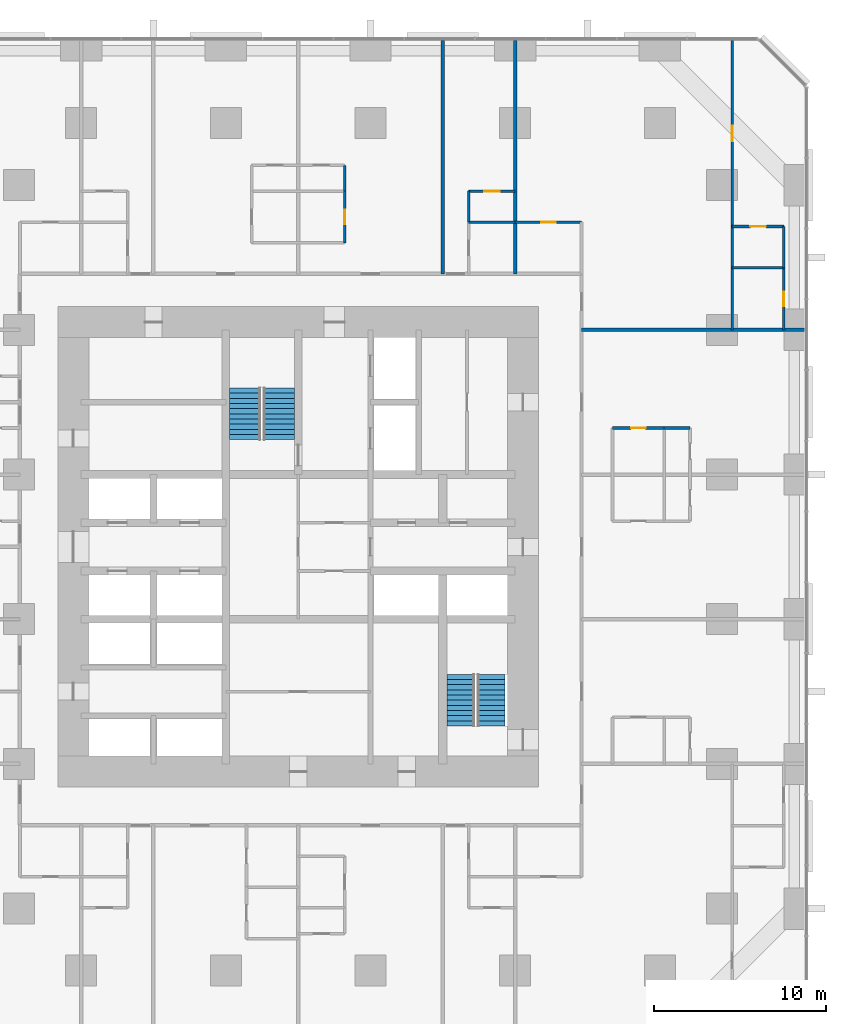
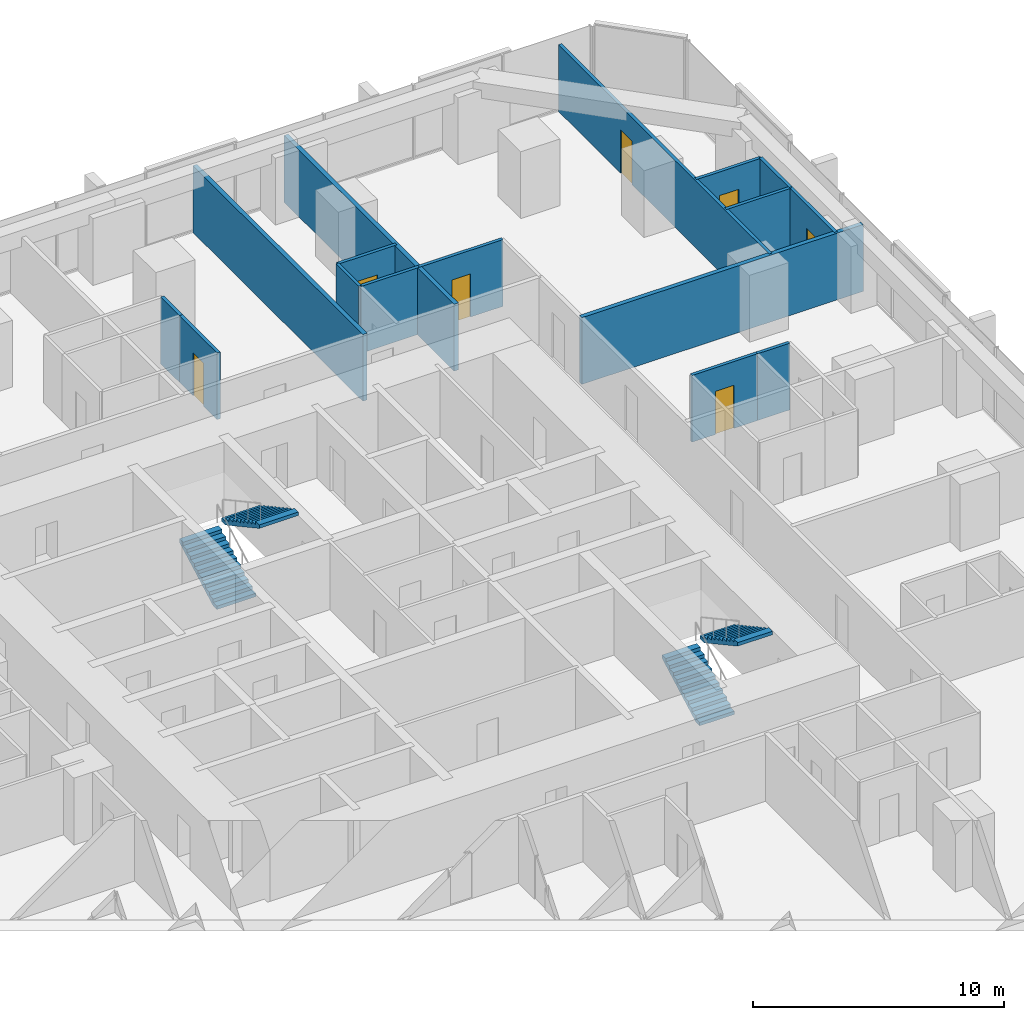
# One storey, part 16 of 17: 16 walls, 7 doors, 4 stair flights, 7 openings, 2 elements without a shape of their own.
"""IFC4 building model written with IfcOpenShell, lengths in metres."""

from ifc_helpers import new_model, si_unit, direction, frame, frame_2d, origin, place, context, subcontext, project, spatial, polyline, rectangle, outline, extrude, material, layer, layer_set, type_object, element, fill, aggregate, save


model = new_model("IFC4")

# Units and contexts
model_context = context("Model", 3, precision=1e-05, world=origin(), true_north=direction((0.0, 1.0)))
body_context = subcontext(model_context, "Body", "Model", "MODEL_VIEW")
ifc_project = project(units=[si_unit("LENGTHUNIT", "METRE"), si_unit("AREAUNIT", "SQUARE_METRE"), si_unit("VOLUMEUNIT", "CUBIC_METRE"), si_unit("PLANEANGLEUNIT", "RADIAN"), si_unit("MASSUNIT", "GRAM", prefix="KILO")], contexts=[model_context])

# Site, building, storey
site_placement = place(None, origin())
site = spatial("IfcSite", under=ifc_project, at=site_placement, CompositionType="ELEMENT")
building_placement = place(site_placement, origin())
building = spatial("IfcBuilding", under=site, at=building_placement, Name="Dunama Terrace Hotel", CompositionType="ELEMENT")
storey_placement = place(building_placement, frame((0.0, 0.0, 41.39990234375)))
storey = spatial("IfcBuildingStorey", under=building, at=storey_placement, Name="L09", CompositionType="ELEMENT", Elevation=41.39990234375)

# Wall, opening, door
ifc_material_1 = material(Name="Gypsum board partition", Category="masonry")
ifc_layer_1 = layer(ifc_material_1, 0.14990234375)
ifc_layer_set_1 = layer_set([ifc_layer_1], Name="Bathroom partition 150")
wall_type_1 = type_object("IfcWallType", Name="Bathroom partition 150", PredefinedType="PARTITIONING", material=ifc_layer_set_1)
wall_1_placement = place(storey_placement, frame((32.10009765625, 47.050048828125, 0.0), z_axis=(0.0, 0.0, 1.0), x_axis=(0.0, 1.0, 0.0)))
wall_1 = element("IfcWall", 1, at=wall_1_placement, inside=storey, type_object=wall_type_1, Name="Bathroom partition 150 L09", PredefinedType="PARTITIONING", context=body_context, shape_type="SweptSolid", body=[
    extrude(rectangle(XDim=3.0, YDim=0.14990234375, at=frame_2d((1.5, 0.0))), origin(), (0.0, 0.0, 1.0), 3.25),
])
opening_1_placement = place(wall_1_placement, frame((1.074951171875, 0.0, 0.0)))
opening_1 = element("IfcOpeningElement", 2, at=opening_1_placement, cuts=wall_1, Name="Opening L07-09-037", PredefinedType="OPENING", context=body_context, shape_type="SweptSolid", body=[
    extrude(rectangle(XDim=0.85009765625, YDim=2.10009765625, at=frame_2d((0.425048828125, 1.050048828125))), frame((0.0, 0.0849609375, 0.0), z_axis=(0.0, -1.0, 0.0), x_axis=(1.0, 0.0, 0.0)), (0.0, 0.0, 1.0), 0.169921875),
])
ifc_material_2 = material(Name="Timber door with steel frame", Category="steel")
door_type_1 = type_object("IfcDoorType", Name="Bathroom door 850", OperationType="SINGLE_SWING_LEFT", PredefinedType="DOOR", material=ifc_material_2)
door_1_placement = place(opening_1_placement, origin())
door_1 = element("IfcDoor", 3, at=door_1_placement, inside=storey, type_object=door_type_1, Name="Door to en-suite bathroom L07-09-037, type D2", OperationType="SINGLE_SWING_RIGHT", OverallHeight=2.10009765625, OverallWidth=0.85009765625, PredefinedType="DOOR", context=body_context, shape_type="SweptSolid", body=[
    extrude(rectangle(XDim=0.85009765625, YDim=2.10009765625, at=frame_2d((0.425048828125, 1.050048828125))), frame((0.0, 0.02490234375, 0.0), z_axis=(0.0, -1.0, 0.0), x_axis=(1.0, 0.0, 0.0)), (0.0, 0.0, 1.0), 0.050048828125),
])
fill(opening_1, door_1)

wall_2_placement = place(storey_placement, frame((57.60009765625, 42.0, 0.0), z_axis=(0.0, 0.0, 1.0), x_axis=(0.0, 1.0, 0.0)))
wall_2 = element("IfcWall", 4, at=wall_2_placement, inside=storey, type_object=wall_type_1, Name="Bathroom partition 150 L09", PredefinedType="PARTITIONING", context=body_context, shape_type="SweptSolid", body=[
    extrude(rectangle(XDim=3.60009765625, YDim=0.14990234375, at=frame_2d((1.800048828125, 0.0))), origin(), (0.0, 0.0, 1.0), 3.25),
])
opening_2_placement = place(wall_2_placement, frame((1.375, 0.0, 0.0)))
opening_2 = element("IfcOpeningElement", 5, at=opening_2_placement, cuts=wall_2, Name="Opening L07-09-071", PredefinedType="OPENING", context=body_context, shape_type="SweptSolid", body=[
    extrude(rectangle(XDim=0.85009765625, YDim=2.10009765625, at=frame_2d((0.425048828125, 1.050048828125))), frame((0.0, 0.0849609375, 0.0), z_axis=(0.0, -1.0, 0.0), x_axis=(1.0, 0.0, 0.0)), (0.0, 0.0, 1.0), 0.169921875),
])
door_2_placement = place(opening_2_placement, origin())
door_2 = element("IfcDoor", 6, at=door_2_placement, inside=storey, type_object=door_type_1, Name="Door to en-suite bathroom L07-09-071, type D2", OperationType="SINGLE_SWING_LEFT", OverallHeight=2.10009765625, OverallWidth=0.85009765625, PredefinedType="DOOR", context=body_context, shape_type="SweptSolid", body=[
    extrude(rectangle(XDim=0.85009765625, YDim=2.10009765625, at=frame_2d((0.425048828125, 1.050048828125))), frame((0.0, 0.02490234375, 0.0), z_axis=(0.0, -1.0, 0.0), x_axis=(1.0, 0.0, 0.0)), (0.0, 0.0, 1.0), 0.050048828125),
])
fill(opening_2, door_2)

wall_3_placement = place(storey_placement, frame((47.64990234375, 36.300048828125, 0.0), z_axis=(0.0, 0.0, 1.0), x_axis=(1.0, 0.0, 0.0)))
wall_3 = element("IfcWall", 7, at=wall_3_placement, inside=storey, type_object=wall_type_1, Name="Bathroom partition 150 L09", PredefinedType="PARTITIONING", context=body_context, shape_type="SweptSolid", body=[
    extrude(rectangle(XDim=3.0, YDim=0.14990234375, at=frame_2d((1.5, 0.0))), origin(), (0.0, 0.0, 1.0), 3.25),
])
opening_3_placement = place(wall_3_placement, frame((1.074951171875, 0.0, 0.0)))
opening_3 = element("IfcOpeningElement", 8, at=opening_3_placement, cuts=wall_3, Name="Opening L07-09-028", PredefinedType="OPENING", context=body_context, shape_type="SweptSolid", body=[
    extrude(rectangle(XDim=0.85009765625, YDim=2.10009765625, at=frame_2d((0.425048828125, 1.050048828125))), frame((0.0, 0.0849609375, 0.0), z_axis=(0.0, -1.0, 0.0), x_axis=(1.0, 0.0, 0.0)), (0.0, 0.0, 1.0), 0.169921875),
])
door_3_placement = place(opening_3_placement, frame((0.85009765625, 0.0, 0.0), z_axis=(0.0, 0.0, 1.0), x_axis=(-1.0, 0.0, 0.0)))
door_3 = element("IfcDoor", 9, at=door_3_placement, inside=storey, type_object=door_type_1, Name="Door to en-suite bathroom L07-09-028, type D2", OperationType="SINGLE_SWING_LEFT", OverallHeight=2.10009765625, OverallWidth=0.85009765625, PredefinedType="DOOR", context=body_context, shape_type="SweptSolid", body=[
    extrude(rectangle(XDim=0.85009765625, YDim=2.10009765625, at=frame_2d((0.425048828125, 1.050048828125))), frame((0.0, 0.025146484375, 0.0), z_axis=(0.0, -1.0, 0.0), x_axis=(1.0, 0.0, 0.0)), (0.0, 0.0, 1.0), 0.050048828125),
])
fill(opening_3, door_3)

wall_4_placement = place(storey_placement, frame((42.0, 48.25, 0.0), z_axis=(0.0, 0.0, 1.0), x_axis=(1.0, 0.0, 0.0)))
wall_4 = element("IfcWall", 10, at=wall_4_placement, inside=storey, type_object=wall_type_1, Name="Bathroom partition 150 L09", PredefinedType="PARTITIONING", context=body_context, shape_type="SweptSolid", body=[
    extrude(rectangle(XDim=3.85009765625, YDim=0.14990234375, at=frame_2d((1.925048828125, 0.0))), origin(), (0.0, 0.0, 1.0), 3.25),
])
opening_4_placement = place(wall_4_placement, frame((1.5, 0.0, 0.0)))
opening_4 = element("IfcOpeningElement", 11, at=opening_4_placement, cuts=wall_4, Name="Opening L07-09-069", PredefinedType="OPENING", context=body_context, shape_type="SweptSolid", body=[
    extrude(rectangle(XDim=0.85009765625, YDim=2.10009765625, at=frame_2d((0.425048828125, 1.050048828125))), frame((0.0, 0.0849609375, 0.0), z_axis=(0.0, -1.0, 0.0), x_axis=(1.0, 0.0, 0.0)), (0.0, 0.0, 1.0), 0.169921875),
])
door_4_placement = place(opening_4_placement, frame((0.85009765625, 0.0, 0.0), z_axis=(0.0, 0.0, 1.0), x_axis=(-1.0, 0.0, 0.0)))
door_4 = element("IfcDoor", 12, at=door_4_placement, inside=storey, type_object=door_type_1, Name="Door to powder room L07-09-069, type D2", OperationType="SINGLE_SWING_RIGHT", OverallHeight=2.10009765625, OverallWidth=0.85009765625, PredefinedType="DOOR", context=body_context, shape_type="SweptSolid", body=[
    extrude(rectangle(XDim=0.85009765625, YDim=2.10009765625, at=frame_2d((0.425048828125, 1.050048828125))), frame((0.0, 0.025146484375, 0.0), z_axis=(0.0, -1.0, 0.0), x_axis=(1.0, 0.0, 0.0)), (0.0, 0.0, 1.0), 0.050048828125),
])
fill(opening_4, door_4)

# Walls
ifc_material_3 = material(Name="Concrete blockwork", Category="masonry")
ifc_layer_2 = layer(ifc_material_3, 0.199951171875)
ifc_layer_set_2 = layer_set([ifc_layer_2], Name="Party wall 200")
wall_type_2 = type_object("IfcWallType", Name="Party wall 200", PredefinedType="PARTITIONING", material=ifc_layer_set_2)
for number, where, z_axis, x_axis, name in (
    (13, (37.800048828125, 45.25, 0.0), (0.0, 0.0, 1.0), (0.0, 1.0, 0.0), "Party wall 200 L09"),
    (14, (42.0, 45.25, 0.0), (0.0, 0.0, 1.0), (0.0, 1.0, 0.0), "Party wall 200 L09"),
):
    element("IfcWall", number, at=place(storey_placement, frame(where, z_axis=z_axis, x_axis=x_axis)), inside=storey, type_object=wall_type_2, Name=name, PredefinedType="PARTITIONING", context=body_context, shape_type="SweptSolid", body=[
        extrude(rectangle(XDim=13.55810546875, YDim=0.199951171875, at=frame_2d((6.779052734375, 0.0))), origin(), (0.0, 0.0, 1.0), 3.25),
    ])
wall_5_placement = place(storey_placement, frame((45.85009765625, 42.0, 0.0), z_axis=(0.0, 0.0, 1.0), x_axis=(1.0, 0.0, 0.0)))
element("IfcWall", 15, at=wall_5_placement, inside=storey, type_object=wall_type_2, Name="Party wall 200 L09", PredefinedType="PARTITIONING", context=body_context, shape_type="SweptSolid", body=[
    extrude(rectangle(XDim=12.9580078125, YDim=0.199951171875, at=frame_2d((6.47900390625, 0.0))), origin(), (0.0, 0.0, 1.0), 3.25),
])
ifc_material_4 = material(Name="Gypsum board partition", Category="masonry")
ifc_layer_3 = layer(ifc_material_4, 0.14990234375)
ifc_layer_set_3 = layer_set([ifc_layer_3], Name="Room partition 150")
wall_type_3 = type_object("IfcWallType", Name="Room partition 150", PredefinedType="PARTITIONING", material=ifc_layer_set_3)
wall_6_placement = place(storey_placement, frame((32.10009765625, 50.050048828125, 0.0), z_axis=(0.0, 0.0, 1.0), x_axis=(0.0, 1.0, 0.0)))
element("IfcWall", 16, at=wall_6_placement, inside=storey, type_object=wall_type_3, Name="Room partition 150 L09", PredefinedType="PARTITIONING", context=body_context, shape_type="SweptSolid", body=[
    extrude(rectangle(XDim=1.5, YDim=0.14990234375, at=frame_2d((0.75, 0.0))), origin(), (0.0, 0.0, 1.0), 3.25),
])
wall_7_placement = place(storey_placement, frame((39.300048828125, 48.25, 0.0), z_axis=(0.0, 0.0, 1.0), x_axis=(0.0, 1.0, 0.0)))
element("IfcWall", 17, at=wall_7_placement, inside=storey, type_object=wall_type_3, Name="Room partition 150 L09", PredefinedType="PARTITIONING", context=body_context, shape_type="SweptSolid", body=[
    extrude(rectangle(XDim=1.800048828125, YDim=0.14990234375, at=frame_2d((0.89990234375, 0.0))), origin(), (0.0, 0.0, 1.0), 3.25),
])

# Wall, opening, door
wall_8_placement = place(storey_placement, frame((54.60009765625, 42.0, 0.0), z_axis=(0.0, 0.0, 1.0), x_axis=(0.0, 1.0, 0.0)))
wall_8 = element("IfcWall", 18, at=wall_8_placement, inside=storey, type_object=wall_type_3, Name="Room partition 150 L09", PredefinedType="PARTITIONING", context=body_context, shape_type="SweptSolid", body=[
    extrude(rectangle(XDim=16.80810546875, YDim=0.14990234375, at=frame_2d((8.404052734375, 0.0))), origin(), (0.0, 0.0, 1.0), 3.25),
])
opening_5_placement = place(wall_8_placement, frame((10.949951171875, 0.0, 0.0)))
opening_5 = element("IfcOpeningElement", 19, at=opening_5_placement, cuts=wall_8, Name="Opening L07-09-070", PredefinedType="OPENING", context=body_context, shape_type="SweptSolid", body=[
    extrude(rectangle(XDim=0.89990234375, YDim=2.10009765625, at=frame_2d((0.449951171875, 1.050048828125))), frame((0.0, 0.0849609375, 0.0), z_axis=(0.0, -1.0, 0.0), x_axis=(1.0, 0.0, 0.0)), (0.0, 0.0, 1.0), 0.169921875),
])
ifc_material_5 = material(Name="Timber door with steel frame", Category="steel")
door_type_2 = type_object("IfcDoorType", Name="Suite internal door 900", OperationType="SINGLE_SWING_LEFT", PredefinedType="DOOR", material=ifc_material_5)
door_5_placement = place(opening_5_placement, frame((0.89990234375, 0.0, 0.0), z_axis=(0.0, 0.0, 1.0), x_axis=(-1.0, 0.0, 0.0)))
door_5 = element("IfcDoor", 20, at=door_5_placement, inside=storey, type_object=door_type_2, Name="Door to corner suite bedroom L07-09-070, type D16", OperationType="SINGLE_SWING_RIGHT", OverallHeight=2.10009765625, OverallWidth=0.89990234375, PredefinedType="DOOR", context=body_context, shape_type="SweptSolid", body=[
    extrude(rectangle(XDim=0.89990234375, YDim=2.10009765625, at=frame_2d((0.449951171875, 1.050048828125))), frame((0.0, 0.025146484375, 0.0), z_axis=(0.0, -1.0, 0.0), x_axis=(1.0, 0.0, 0.0)), (0.0, 0.0, 1.0), 0.050048828125),
])
fill(opening_5, door_5)

# Walls
wall_9_placement = place(storey_placement, frame((57.60009765625, 45.60009765625, 0.0), z_axis=(0.0, 0.0, 1.0), x_axis=(0.0, 1.0, 0.0)))
element("IfcWall", 21, at=wall_9_placement, inside=storey, type_object=wall_type_3, Name="Room partition 150 L09", PredefinedType="PARTITIONING", context=body_context, shape_type="SweptSolid", body=[
    extrude(rectangle(XDim=2.39990234375, YDim=0.14990234375, at=frame_2d((1.199951171875, 0.0))), origin(), (0.0, 0.0, 1.0), 3.25),
])
wall_10_placement = place(storey_placement, frame((50.64990234375, 36.300048828125, 0.0), z_axis=(0.0, 0.0, 1.0), x_axis=(1.0, 0.0, 0.0)))
element("IfcWall", 22, at=wall_10_placement, inside=storey, type_object=wall_type_3, Name="Room partition 150 L09", PredefinedType="PARTITIONING", context=body_context, shape_type="SweptSolid", body=[
    extrude(rectangle(XDim=1.5, YDim=0.14990234375, at=frame_2d((0.75, 0.0))), origin(), (0.0, 0.0, 1.0), 3.25),
])
wall_11_placement = place(storey_placement, frame((54.60009765625, 45.60009765625, 0.0), z_axis=(0.0, 0.0, 1.0), x_axis=(1.0, 0.0, 0.0)))
element("IfcWall", 23, at=wall_11_placement, inside=storey, type_object=wall_type_3, Name="Room partition 150 L09", PredefinedType="PARTITIONING", context=body_context, shape_type="SweptSolid", body=[
    extrude(rectangle(XDim=3.0, YDim=0.14990234375, at=frame_2d((1.5, 0.0))), origin(), (0.0, 0.0, 1.0), 3.25),
])

# Wall, opening, door
wall_12_placement = place(storey_placement, frame((54.60009765625, 48.0, 0.0), z_axis=(0.0, 0.0, 1.0), x_axis=(1.0, 0.0, 0.0)))
wall_12 = element("IfcWall", 24, at=wall_12_placement, inside=storey, type_object=wall_type_3, Name="Room partition 150 L09", PredefinedType="PARTITIONING", context=body_context, shape_type="SweptSolid", body=[
    extrude(rectangle(XDim=3.0, YDim=0.14990234375, at=frame_2d((1.5, 0.0))), origin(), (0.0, 0.0, 1.0), 3.25),
])
opening_6_placement = place(wall_12_placement, frame((1.050048828125, 0.0, 0.0)))
opening_6 = element("IfcOpeningElement", 25, at=opening_6_placement, cuts=wall_12, Name="Opening L07-09-072", PredefinedType="OPENING", context=body_context, shape_type="SweptSolid", body=[
    extrude(rectangle(XDim=0.89990234375, YDim=2.10009765625, at=frame_2d((0.449951171875, 1.050048828125))), frame((0.0, 0.0849609375, 0.0), z_axis=(0.0, -1.0, 0.0), x_axis=(1.0, 0.0, 0.0)), (0.0, 0.0, 1.0), 0.169921875),
])
door_6_placement = place(opening_6_placement, frame((0.89990234375, 0.0, 0.0), z_axis=(0.0, 0.0, 1.0), x_axis=(-1.0, 0.0, 0.0)))
door_6 = element("IfcDoor", 26, at=door_6_placement, inside=storey, type_object=door_type_2, Name="Door to dressing room L07-09-072, type D16", OperationType="SINGLE_SWING_RIGHT", OverallHeight=2.10009765625, OverallWidth=0.89990234375, PredefinedType="DOOR", context=body_context, shape_type="SweptSolid", body=[
    extrude(rectangle(XDim=0.89990234375, YDim=2.10009765625, at=frame_2d((0.449951171875, 1.050048828125))), frame((0.0, 0.025146484375, 0.0), z_axis=(0.0, -1.0, 0.0), x_axis=(1.0, 0.0, 0.0)), (0.0, 0.0, 1.0), 0.050048828125),
])
fill(opening_6, door_6)

# Wall
wall_13_placement = place(storey_placement, frame((39.300048828125, 48.25, 0.0), z_axis=(0.0, 0.0, 1.0), x_axis=(1.0, 0.0, 0.0)))
element("IfcWall", 27, at=wall_13_placement, inside=storey, type_object=wall_type_3, Name="Room partition 150 L09", PredefinedType="PARTITIONING", context=body_context, shape_type="SweptSolid", body=[
    extrude(rectangle(XDim=2.699951171875, YDim=0.14990234375, at=frame_2d((1.35009765625, 0.0))), origin(), (0.0, 0.0, 1.0), 3.25),
])

# Wall, opening, door
wall_14_placement = place(storey_placement, frame((39.300048828125, 50.050048828125, 0.0), z_axis=(0.0, 0.0, 1.0), x_axis=(1.0, 0.0, 0.0)))
wall_14 = element("IfcWall", 28, at=wall_14_placement, inside=storey, type_object=wall_type_3, Name="Room partition 150 L09", PredefinedType="PARTITIONING", context=body_context, shape_type="SweptSolid", body=[
    extrude(rectangle(XDim=2.699951171875, YDim=0.14990234375, at=frame_2d((1.35009765625, 0.0))), origin(), (0.0, 0.0, 1.0), 3.25),
])
opening_7_placement = place(wall_14_placement, frame((0.89990234375, 0.0, 0.0)))
opening_7 = element("IfcOpeningElement", 29, at=opening_7_placement, cuts=wall_14, Name="Opening L07-09-041", PredefinedType="OPENING", context=body_context, shape_type="SweptSolid", body=[
    extrude(rectangle(XDim=0.89990234375, YDim=2.10009765625, at=frame_2d((0.449951171875, 1.050048828125))), frame((0.0, 0.0849609375, 0.0), z_axis=(0.0, -1.0, 0.0), x_axis=(1.0, 0.0, 0.0)), (0.0, 0.0, 1.0), 0.169921875),
])
door_7_placement = place(opening_7_placement, frame((0.89990234375, 0.0, 0.0), z_axis=(0.0, 0.0, 1.0), x_axis=(-1.0, 0.0, 0.0)))
door_7 = element("IfcDoor", 30, at=door_7_placement, inside=storey, type_object=door_type_2, Name="Door to walk-in wardrobe L07-09-041, type D16", OperationType="SINGLE_SWING_LEFT", OverallHeight=2.10009765625, OverallWidth=0.89990234375, PredefinedType="DOOR", context=body_context, shape_type="SweptSolid", body=[
    extrude(rectangle(XDim=0.89990234375, YDim=2.10009765625, at=frame_2d((0.449951171875, 1.050048828125))), frame((0.0, 0.025146484375, 0.0), z_axis=(0.0, -1.0, 0.0), x_axis=(1.0, 0.0, 0.0)), (0.0, 0.0, 1.0), 0.050048828125),
])
fill(opening_7, door_7)

# Stair, stair flights
ifc_material_6 = material(Name="Concrete C40/50", Category="concrete")
stair_type_1 = type_object("IfcStairType", Name="Stair ST1-3600-1800", PredefinedType="HALF_TURN_STAIR", material=ifc_material_6)
stair_1_placement = place(storey_placement, origin())
stair_1 = element("IfcStair", 31, at=stair_1_placement, inside=storey, type_object=stair_type_1, Name="Stair ST1 L09", PredefinedType="HALF_TURN_STAIR")
ifc_material_7 = material(Name="Concrete C40/50", Category="concrete")
stair_flight_type_1 = type_object("IfcStairFlightType", Name="Stair flight ST1-3600-1800", PredefinedType="STRAIGHT", material=ifc_material_7)
stair_flight_1_placement = place(storey_placement, frame((26.324951171875, 35.625, 0.0), z_axis=(0.0, 0.0, 1.0), x_axis=(0.0, 1.0, 0.0)))
stair_flight_1 = element("IfcStairFlight", 32, at=stair_flight_1_placement, type_object=stair_flight_type_1, Name="ST1 flight 1", NumberOfRisers=11, NumberOfTreads=10, PredefinedType="STRAIGHT", RiserHeight=0.163636364, TreadLength=0.3, context=body_context, shape_type="SweptSolid", body=[
    extrude(outline(polyline([(0.0, 0.0), (0.0, 0.16357421875), (0.300048828125, 0.16357421875), (0.300048828125, 0.327392578125), (0.60009765625, 0.327392578125), (0.60009765625, 0.490966796875), (0.89990234375, 0.490966796875), (0.89990234375, 0.654541015625), (1.199951171875, 0.654541015625), (1.199951171875, 0.818115234375), (1.5, 0.818115234375), (1.5, 0.98193359375), (1.800048828125, 0.98193359375), (1.800048828125, 1.1455078125), (2.10009765625, 1.1455078125), (2.10009765625, 1.30908203125), (2.39990234375, 1.30908203125), (2.39990234375, 1.47265625), (2.699951171875, 1.47265625), (2.699951171875, 1.636474609375), (3.0, 1.636474609375), (3.0, 1.800048828125), (3.0, 1.465576171875), (0.31298828125, 0.0), (0.0, 0.0)])), frame((0.0, 0.89990234375, 0.0), z_axis=(0.0, -1.0, 0.0), x_axis=(1.0, 0.0, 0.0)), (0.0, 0.0, 1.0), 1.800048828125),
])
stair_flight_2_placement = place(storey_placement, frame((28.27490234375, 38.625, 1.800048828125), z_axis=(0.0, 0.0, 1.0), x_axis=(0.0, -1.0, 0.0)))
stair_flight_2 = element("IfcStairFlight", 33, at=stair_flight_2_placement, type_object=stair_flight_type_1, Name="ST1 flight 2", NumberOfRisers=11, NumberOfTreads=10, PredefinedType="STRAIGHT", RiserHeight=0.163636364, TreadLength=0.3, context=body_context, shape_type="SweptSolid", body=[
    extrude(outline(polyline([(0.0, 0.0), (0.0, 0.16357421875), (0.300048828125, 0.16357421875), (0.300048828125, 0.327392578125), (0.60009765625, 0.327392578125), (0.60009765625, 0.490966796875), (0.89990234375, 0.490966796875), (0.89990234375, 0.654541015625), (1.199951171875, 0.654541015625), (1.199951171875, 0.818115234375), (1.5, 0.818115234375), (1.5, 0.98193359375), (1.800048828125, 0.98193359375), (1.800048828125, 1.1455078125), (2.10009765625, 1.1455078125), (2.10009765625, 1.30908203125), (2.39990234375, 1.30908203125), (2.39990234375, 1.47265625), (2.699951171875, 1.47265625), (2.699951171875, 1.636474609375), (3.0, 1.636474609375), (3.0, 1.800048828125), (3.0, 1.465576171875), (0.31298828125, 0.0), (0.0, 0.0)])), frame((0.0, 0.89990234375, 0.0), z_axis=(0.0, -1.0, 0.0), x_axis=(1.0, 0.0, 0.0)), (0.0, 0.0, 1.0), 1.800048828125),
])
aggregate(stair_1, [stair_flight_1, stair_flight_2])

ifc_material_8 = material(Name="Concrete C40/50", Category="concrete")
stair_type_2 = type_object("IfcStairType", Name="Stair ST2-3600-1600", PredefinedType="HALF_TURN_STAIR", material=ifc_material_8)
stair_2_placement = place(storey_placement, origin())
stair_2 = element("IfcStair", 34, at=stair_2_placement, inside=storey, type_object=stair_type_2, Name="Stair ST2 L09", PredefinedType="HALF_TURN_STAIR")
ifc_material_9 = material(Name="Concrete C40/50", Category="concrete")
stair_flight_type_2 = type_object("IfcStairFlightType", Name="Stair flight ST2-3600-1600", PredefinedType="STRAIGHT", material=ifc_material_9)
stair_flight_3_placement = place(storey_placement, frame((38.85009765625, 19.0, 0.0), z_axis=(0.0, 0.0, 1.0), x_axis=(0.0, 1.0, 0.0)))
stair_flight_3 = element("IfcStairFlight", 35, at=stair_flight_3_placement, type_object=stair_flight_type_2, Name="ST2 flight 1", NumberOfRisers=11, NumberOfTreads=10, PredefinedType="STRAIGHT", RiserHeight=0.163636364, TreadLength=0.3, context=body_context, shape_type="SweptSolid", body=[
    extrude(outline(polyline([(0.0, 0.0), (0.0, 0.16357421875), (0.300048828125, 0.16357421875), (0.300048828125, 0.327392578125), (0.60009765625, 0.327392578125), (0.60009765625, 0.490966796875), (0.89990234375, 0.490966796875), (0.89990234375, 0.654541015625), (1.199951171875, 0.654541015625), (1.199951171875, 0.818115234375), (1.5, 0.818115234375), (1.5, 0.98193359375), (1.800048828125, 0.98193359375), (1.800048828125, 1.1455078125), (2.10009765625, 1.1455078125), (2.10009765625, 1.30908203125), (2.39990234375, 1.30908203125), (2.39990234375, 1.47265625), (2.699951171875, 1.47265625), (2.699951171875, 1.636474609375), (3.0, 1.636474609375), (3.0, 1.800048828125), (3.0, 1.465576171875), (0.31298828125, 0.0), (0.0, 0.0)])), frame((0.0, 0.800048828125, 0.0), z_axis=(0.0, -1.0, 0.0), x_axis=(1.0, 0.0, 0.0)), (0.0, 0.0, 1.0), 1.60009765625),
])
stair_flight_4_placement = place(storey_placement, frame((40.60009765625, 22.0, 1.800048828125), z_axis=(0.0, 0.0, 1.0), x_axis=(0.0, -1.0, 0.0)))
stair_flight_4 = element("IfcStairFlight", 36, at=stair_flight_4_placement, type_object=stair_flight_type_2, Name="ST2 flight 2", NumberOfRisers=11, NumberOfTreads=10, PredefinedType="STRAIGHT", RiserHeight=0.163636364, TreadLength=0.3, context=body_context, shape_type="SweptSolid", body=[
    extrude(outline(polyline([(0.0, 0.0), (0.0, 0.16357421875), (0.300048828125, 0.16357421875), (0.300048828125, 0.327392578125), (0.60009765625, 0.327392578125), (0.60009765625, 0.490966796875), (0.89990234375, 0.490966796875), (0.89990234375, 0.654541015625), (1.199951171875, 0.654541015625), (1.199951171875, 0.818115234375), (1.5, 0.818115234375), (1.5, 0.98193359375), (1.800048828125, 0.98193359375), (1.800048828125, 1.1455078125), (2.10009765625, 1.1455078125), (2.10009765625, 1.30908203125), (2.39990234375, 1.30908203125), (2.39990234375, 1.47265625), (2.699951171875, 1.47265625), (2.699951171875, 1.636474609375), (3.0, 1.636474609375), (3.0, 1.800048828125), (3.0, 1.465576171875), (0.31298828125, 0.0), (0.0, 0.0)])), frame((0.0, 0.800048828125, 0.0), z_axis=(0.0, -1.0, 0.0), x_axis=(1.0, 0.0, 0.0)), (0.0, 0.0, 1.0), 1.60009765625),
])
aggregate(stair_2, [stair_flight_3, stair_flight_4])

save(model, "model.ifc")
